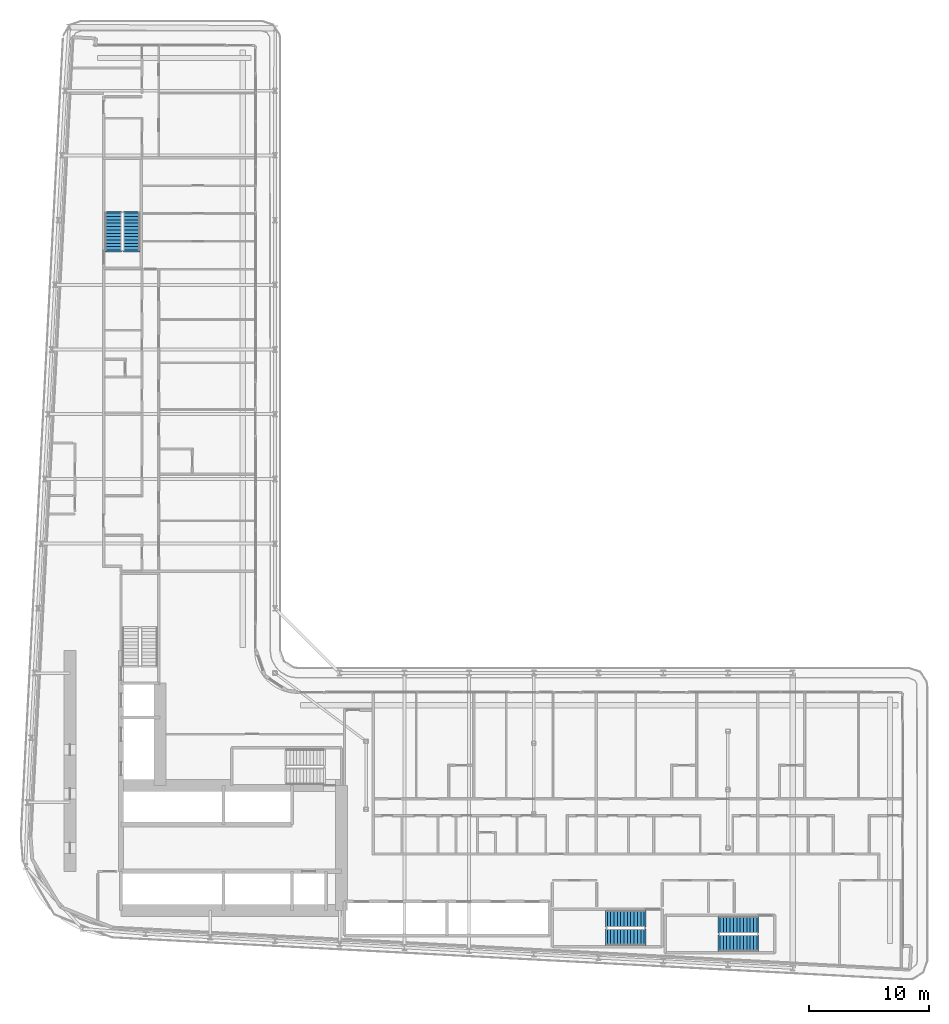
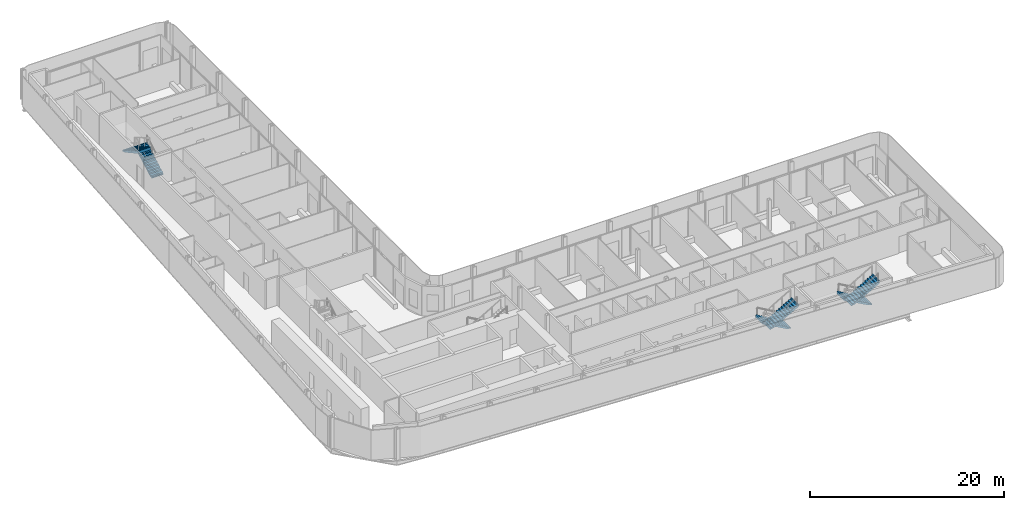
# One storey, part 22 of 29: 6 stair flights, 3 elements without a shape of their own.
"""IFC4 building model written with IfcOpenShell, lengths in metres."""

from ifc_helpers import new_model, si_unit, direction, frame, origin, place, context, subcontext, project, spatial, polyline, outline, extrude, material, layer, layer_set, type_object, element, aggregate, save


model = new_model("IFC4")

# Units and contexts
model_context = context("Model", 3, precision=1e-05, world=origin(), true_north=direction((0.0, 1.0)))
body_context = subcontext(model_context, "Body", "Model", "MODEL_VIEW")
ifc_project = project(units=[si_unit("LENGTHUNIT", "METRE"), si_unit("AREAUNIT", "SQUARE_METRE"), si_unit("VOLUMEUNIT", "CUBIC_METRE"), si_unit("PLANEANGLEUNIT", "RADIAN"), si_unit("MASSUNIT", "GRAM", prefix="KILO")], contexts=[model_context])

# Site, building, storey
site_placement = place(None, origin())
site = spatial("IfcSite", under=ifc_project, at=site_placement, CompositionType="ELEMENT")
building_placement = place(site_placement, origin())
building = spatial("IfcBuilding", under=site, at=building_placement, Name="Kheshtan School and Residences Tower", CompositionType="ELEMENT")
storey_placement = place(building_placement, frame((0.0, 0.0, 61.699951171875)))
storey = spatial("IfcBuildingStorey", under=building, at=storey_placement, Name="L14", CompositionType="ELEMENT", Elevation=61.699951171875)

# Stair, stair flights
ifc_material = material(Name="Concrete C40/50", Category="concrete")
stair_type = type_object("IfcStairType", Name="Exit stair, half-turn", PredefinedType="HALF_TURN_STAIR", material=ifc_material)
stair_1_placement = place(storey_placement, origin())
stair_1 = element("IfcStair", 1, at=stair_1_placement, inside=storey, type_object=stair_type, Name="L14 Protected Exit Stair ST3", PredefinedType="HALF_TURN_STAIR")
ifc_layer = layer(ifc_material, 0.14990234375)
ifc_layer_set = layer_set([ifc_layer], Name="Stair flight 1400 Concrete C40/50")
stair_flight_type = type_object("IfcStairFlightType", Name="Stair flight 1400 Concrete C40/50", PredefinedType="STRAIGHT", material=ifc_layer_set)
stair_flight_1_placement = place(storey_placement, frame((35.64990234375, 80.89990234375, 0.0), z_axis=(0.0, 0.0, 1.0), x_axis=(0.0, 1.0, 0.0)))
stair_flight_1 = element("IfcStairFlight", 2, at=stair_flight_1_placement, type_object=stair_flight_type, Name="ST3 flight 1", NumberOfRisers=12, NumberOfTreads=11, PredefinedType="STRAIGHT", RiserHeight=0.1625, TreadLength=0.28, context=body_context, shape_type="SweptSolid", body=[
    extrude(outline(polyline([(-0.14990234375, -0.10009765625), (-0.14990234375, 0.0), (0.0, 0.0), (0.0, 0.16259765625), (0.280029296875, 0.16259765625), (0.280029296875, 0.324951171875), (0.56005859375, 0.324951171875), (0.56005859375, 0.487548828125), (0.840087890625, 0.487548828125), (0.840087890625, 0.64990234375), (1.1201171875, 0.64990234375), (1.1201171875, 0.8125), (1.39990234375, 0.8125), (1.39990234375, 0.97509765625), (1.679931640625, 0.97509765625), (1.679931640625, 1.137451171875), (1.9599609375, 1.137451171875), (1.9599609375, 1.300048828125), (2.239990234375, 1.300048828125), (2.239990234375, 1.46240234375), (2.52001953125, 1.46240234375), (2.52001953125, 1.625), (2.800048828125, 1.625), (2.800048828125, 1.78759765625), (3.080078125, 1.78759765625), (3.080078125, 1.949951171875), (3.080078125, 1.969970703125), (3.22998046875, 1.969970703125), (3.22998046875, 1.6142578125), (0.298583984375, 0.0), (-0.14990234375, -0.10009765625)])), frame((0.0, 0.699951171875, 0.0), z_axis=(0.0, -1.0, 0.0), x_axis=(1.0, 0.0, 0.0)), (0.0, 0.0, 1.0), 1.39990234375),
])
stair_flight_2_placement = place(storey_placement, frame((34.10009765625, 83.97998046875, 1.949951171875), z_axis=(0.0, 0.0, 1.0), x_axis=(0.0, -1.0, 0.0)))
stair_flight_2 = element("IfcStairFlight", 3, at=stair_flight_2_placement, type_object=stair_flight_type, Name="ST3 flight 2", NumberOfRisers=12, NumberOfTreads=11, PredefinedType="STRAIGHT", RiserHeight=0.1625, TreadLength=0.28, context=body_context, shape_type="SweptSolid", body=[
    extrude(outline(polyline([(-0.14990234375, -0.10009765625), (-0.14990234375, 0.0), (0.0, 0.0), (0.0, 0.16259765625), (0.280029296875, 0.16259765625), (0.280029296875, 0.324951171875), (0.56005859375, 0.324951171875), (0.56005859375, 0.487548828125), (0.840087890625, 0.487548828125), (0.840087890625, 0.64990234375), (1.1201171875, 0.64990234375), (1.1201171875, 0.8125), (1.39990234375, 0.8125), (1.39990234375, 0.97509765625), (1.679931640625, 0.97509765625), (1.679931640625, 1.137451171875), (1.9599609375, 1.137451171875), (1.9599609375, 1.300048828125), (2.239990234375, 1.300048828125), (2.239990234375, 1.46240234375), (2.52001953125, 1.46240234375), (2.52001953125, 1.625), (2.800048828125, 1.625), (2.800048828125, 1.78759765625), (3.080078125, 1.78759765625), (3.080078125, 1.949951171875), (3.080078125, 1.969970703125), (3.22998046875, 1.969970703125), (3.22998046875, 1.6142578125), (0.298583984375, 0.0), (-0.14990234375, -0.10009765625)])), frame((0.0, 0.699951171875, 0.0), z_axis=(0.0, -1.0, 0.0), x_axis=(1.0, 0.0, 0.0)), (0.0, 0.0, 1.0), 1.39990234375),
])
aggregate(stair_1, [stair_flight_1, stair_flight_2])

stair_2_placement = place(storey_placement, origin())
stair_2 = element("IfcStair", 4, at=stair_2_placement, inside=storey, type_object=stair_type, Name="L14 Protected Exit Stair ST4", PredefinedType="HALF_TURN_STAIR")
stair_flight_3_placement = place(storey_placement, frame((87.820068359375, 24.60009765625, 0.0), z_axis=(0.0, 0.0, 1.0), x_axis=(-1.0, 0.0, 0.0)))
stair_flight_3 = element("IfcStairFlight", 5, at=stair_flight_3_placement, type_object=stair_flight_type, Name="ST4 flight 1", NumberOfRisers=12, NumberOfTreads=11, PredefinedType="STRAIGHT", RiserHeight=0.1625, TreadLength=0.28, context=body_context, shape_type="SweptSolid", body=[
    extrude(outline(polyline([(-0.14990234375, -0.10009765625), (-0.14990234375, 0.0), (0.0, 0.0), (0.0, 0.16259765625), (0.280029296875, 0.16259765625), (0.280029296875, 0.324951171875), (0.56005859375, 0.324951171875), (0.56005859375, 0.487548828125), (0.840087890625, 0.487548828125), (0.840087890625, 0.64990234375), (1.1201171875, 0.64990234375), (1.1201171875, 0.8125), (1.39990234375, 0.8125), (1.39990234375, 0.97509765625), (1.679931640625, 0.97509765625), (1.679931640625, 1.137451171875), (1.9599609375, 1.137451171875), (1.9599609375, 1.300048828125), (2.239990234375, 1.300048828125), (2.239990234375, 1.46240234375), (2.52001953125, 1.46240234375), (2.52001953125, 1.625), (2.800048828125, 1.625), (2.800048828125, 1.78759765625), (3.080078125, 1.78759765625), (3.080078125, 1.949951171875), (3.080078125, 1.969970703125), (3.22998046875, 1.969970703125), (3.22998046875, 1.6142578125), (0.298583984375, 0.0), (-0.14990234375, -0.10009765625)])), frame((0.0, 0.699951171875, 0.0), z_axis=(0.0, -1.0, 0.0), x_axis=(1.0, 0.0, 0.0)), (0.0, 0.0, 1.0), 1.39990234375),
])
stair_flight_4_placement = place(storey_placement, frame((84.739990234375, 23.050048828125, 1.949951171875), z_axis=(0.0, 0.0, 1.0), x_axis=(1.0, 0.0, 0.0)))
stair_flight_4 = element("IfcStairFlight", 6, at=stair_flight_4_placement, type_object=stair_flight_type, Name="ST4 flight 2", NumberOfRisers=12, NumberOfTreads=11, PredefinedType="STRAIGHT", RiserHeight=0.1625, TreadLength=0.28, context=body_context, shape_type="SweptSolid", body=[
    extrude(outline(polyline([(-0.14990234375, -0.10009765625), (-0.14990234375, 0.0), (0.0, 0.0), (0.0, 0.16259765625), (0.280029296875, 0.16259765625), (0.280029296875, 0.324951171875), (0.56005859375, 0.324951171875), (0.56005859375, 0.487548828125), (0.840087890625, 0.487548828125), (0.840087890625, 0.64990234375), (1.1201171875, 0.64990234375), (1.1201171875, 0.8125), (1.39990234375, 0.8125), (1.39990234375, 0.97509765625), (1.679931640625, 0.97509765625), (1.679931640625, 1.137451171875), (1.9599609375, 1.137451171875), (1.9599609375, 1.300048828125), (2.239990234375, 1.300048828125), (2.239990234375, 1.46240234375), (2.52001953125, 1.46240234375), (2.52001953125, 1.625), (2.800048828125, 1.625), (2.800048828125, 1.78759765625), (3.080078125, 1.78759765625), (3.080078125, 1.949951171875), (3.080078125, 1.969970703125), (3.22998046875, 1.969970703125), (3.22998046875, 1.6142578125), (0.298583984375, 0.0), (-0.14990234375, -0.10009765625)])), frame((0.0, 0.699951171875, 0.0), z_axis=(0.0, -1.0, 0.0), x_axis=(1.0, 0.0, 0.0)), (0.0, 0.0, 1.0), 1.39990234375),
])
aggregate(stair_2, [stair_flight_3, stair_flight_4])

stair_3_placement = place(storey_placement, origin())
stair_3 = element("IfcStair", 7, at=stair_3_placement, inside=storey, type_object=stair_type, Name="L14 Protected Exit Stair ST5", PredefinedType="HALF_TURN_STAIR")
stair_flight_5_placement = place(storey_placement, frame((78.409912109375, 25.10009765625, 0.0), z_axis=(0.0, 0.0, 1.0), x_axis=(-1.0, 0.0, 0.0)))
stair_flight_5 = element("IfcStairFlight", 8, at=stair_flight_5_placement, type_object=stair_flight_type, Name="ST5 flight 1", NumberOfRisers=12, NumberOfTreads=11, PredefinedType="STRAIGHT", RiserHeight=0.1625, TreadLength=0.28, context=body_context, shape_type="SweptSolid", body=[
    extrude(outline(polyline([(-0.14990234375, -0.10009765625), (-0.14990234375, 0.0), (0.0, 0.0), (0.0, 0.16259765625), (0.280029296875, 0.16259765625), (0.280029296875, 0.324951171875), (0.56005859375, 0.324951171875), (0.56005859375, 0.487548828125), (0.840087890625, 0.487548828125), (0.840087890625, 0.64990234375), (1.1201171875, 0.64990234375), (1.1201171875, 0.8125), (1.39990234375, 0.8125), (1.39990234375, 0.97509765625), (1.679931640625, 0.97509765625), (1.679931640625, 1.137451171875), (1.9599609375, 1.137451171875), (1.9599609375, 1.300048828125), (2.239990234375, 1.300048828125), (2.239990234375, 1.46240234375), (2.52001953125, 1.46240234375), (2.52001953125, 1.625), (2.800048828125, 1.625), (2.800048828125, 1.78759765625), (3.080078125, 1.78759765625), (3.080078125, 1.949951171875), (3.080078125, 1.969970703125), (3.22998046875, 1.969970703125), (3.22998046875, 1.6142578125), (0.298583984375, 0.0), (-0.14990234375, -0.10009765625)])), frame((0.0, 0.699951171875, 0.0), z_axis=(0.0, -1.0, 0.0), x_axis=(1.0, 0.0, 0.0)), (0.0, 0.0, 1.0), 1.39990234375),
])
stair_flight_6_placement = place(storey_placement, frame((75.330078125, 23.550048828125, 1.949951171875), z_axis=(0.0, 0.0, 1.0), x_axis=(1.0, 0.0, 0.0)))
stair_flight_6 = element("IfcStairFlight", 9, at=stair_flight_6_placement, type_object=stair_flight_type, Name="ST5 flight 2", NumberOfRisers=12, NumberOfTreads=11, PredefinedType="STRAIGHT", RiserHeight=0.1625, TreadLength=0.28, context=body_context, shape_type="SweptSolid", body=[
    extrude(outline(polyline([(-0.14990234375, -0.10009765625), (-0.14990234375, 0.0), (0.0, 0.0), (0.0, 0.16259765625), (0.280029296875, 0.16259765625), (0.280029296875, 0.324951171875), (0.56005859375, 0.324951171875), (0.56005859375, 0.487548828125), (0.840087890625, 0.487548828125), (0.840087890625, 0.64990234375), (1.1201171875, 0.64990234375), (1.1201171875, 0.8125), (1.39990234375, 0.8125), (1.39990234375, 0.97509765625), (1.679931640625, 0.97509765625), (1.679931640625, 1.137451171875), (1.9599609375, 1.137451171875), (1.9599609375, 1.300048828125), (2.239990234375, 1.300048828125), (2.239990234375, 1.46240234375), (2.52001953125, 1.46240234375), (2.52001953125, 1.625), (2.800048828125, 1.625), (2.800048828125, 1.78759765625), (3.080078125, 1.78759765625), (3.080078125, 1.949951171875), (3.080078125, 1.969970703125), (3.22998046875, 1.969970703125), (3.22998046875, 1.6142578125), (0.298583984375, 0.0), (-0.14990234375, -0.10009765625)])), frame((0.0, 0.699951171875, 0.0), z_axis=(0.0, -1.0, 0.0), x_axis=(1.0, 0.0, 0.0)), (0.0, 0.0, 1.0), 1.39990234375),
])
aggregate(stair_3, [stair_flight_5, stair_flight_6])

save(model, "model.ifc")
